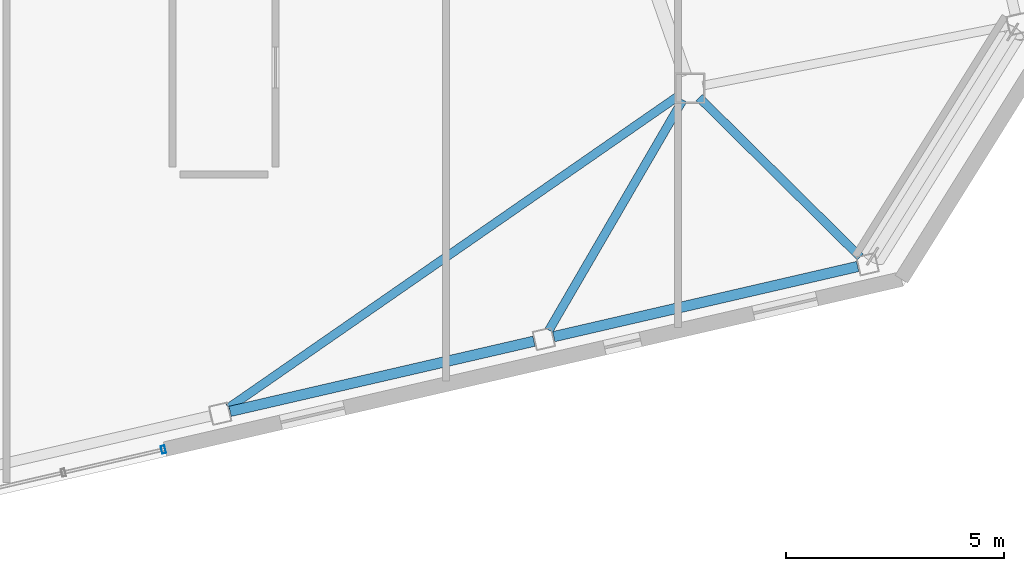
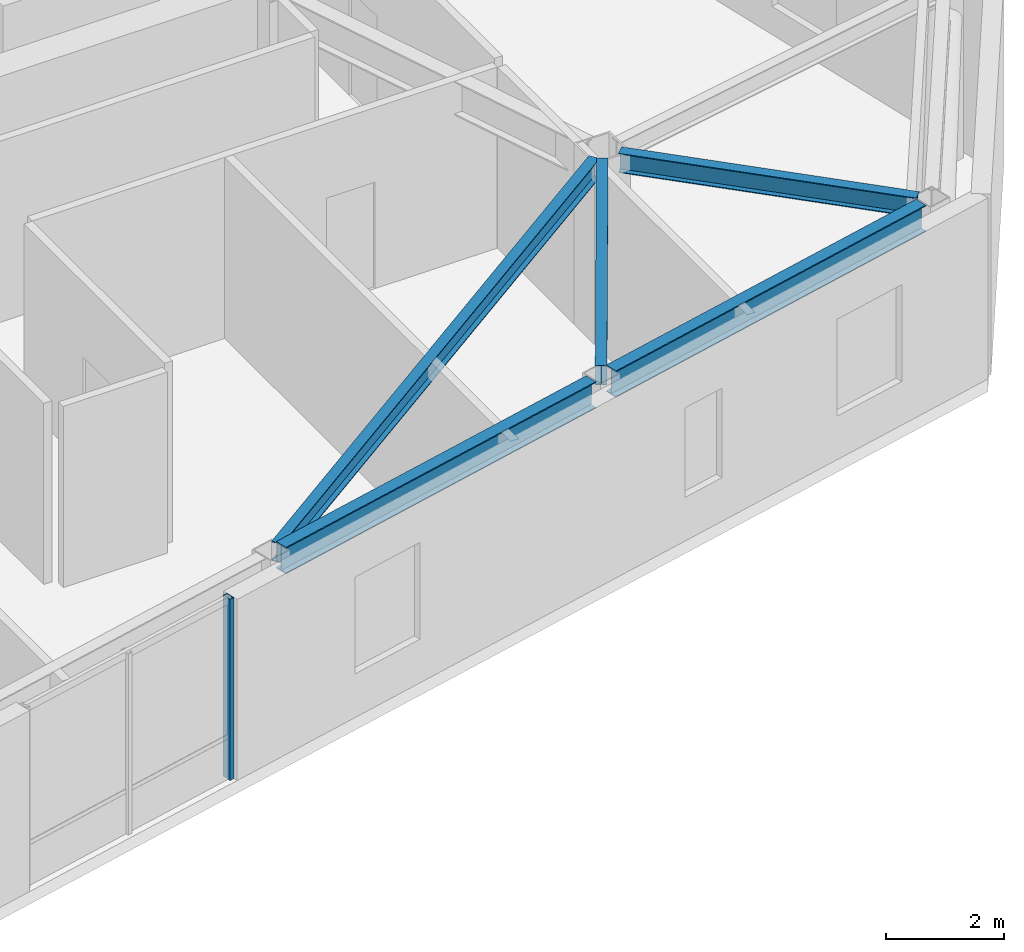
# One storey, part 11 of 22: 5 beams, 1 member, 1 element without a shape of its own.
"""IFC4 building model written with IfcOpenShell, lengths in metres."""

from ifc_helpers import new_model, si_unit, direction, frame, origin, origin_2d, place, context, subcontext, project, spatial, hollow_rectangle, i_section, extrude, material, layer, layer_set, material_profile, profile_set, type_object, element, aggregate, save


model = new_model("IFC4")

# Units and contexts
model_context = context("Model", 3, precision=1e-05, world=origin(), true_north=direction((0.0, 1.0)))
body_context = subcontext(model_context, "Body", "Model", "MODEL_VIEW")
ifc_project = project(units=[si_unit("LENGTHUNIT", "METRE"), si_unit("AREAUNIT", "SQUARE_METRE"), si_unit("VOLUMEUNIT", "CUBIC_METRE"), si_unit("PLANEANGLEUNIT", "RADIAN"), si_unit("MASSUNIT", "GRAM", prefix="KILO")], contexts=[model_context])

# Site, building, storey
site_placement = place(None, origin())
site = spatial("IfcSite", under=ifc_project, at=site_placement, CompositionType="ELEMENT")
building_placement = place(site_placement, origin())
building = spatial("IfcBuilding", under=site, at=building_placement, Name="Tavrogorsk Clinical Tower", CompositionType="ELEMENT")
storey_placement = place(building_placement, frame((0.0, 0.0, 317.0)))
storey = spatial("IfcBuildingStorey", under=building, at=storey_placement, Name="L74", CompositionType="ELEMENT", Elevation=317.0)

# Curtain wall, member
ifc_material_1 = material(Name="Anodised aluminium and triple IGU glazing", Category="aluminium")
ifc_layer = layer(ifc_material_1, 0.179931640625)
ifc_layer_set = layer_set([ifc_layer], Name="Anodised aluminium and triple IGU glazing")
curtain_wall_type = type_object("IfcCurtainWallType", Name="CW3_SouthSlot", PredefinedType="NOTDEFINED", material=ifc_layer_set)
curtain_wall_placement = place(storey_placement, origin())
curtain_wall = element("IfcCurtainWall", 1, at=curtain_wall_placement, inside=storey, type_object=curtain_wall_type, Name="L74 Curtain Wall CW-L74-S-SLOT-2", PredefinedType="NOTDEFINED")
ifc_material_2 = material(Name="Anodised aluminium alloy AW-6060", Category="aluminium")
ifc_material_profile_1 = material_profile(ifc_material_2, hollow_rectangle(XDim=0.090087890625, YDim=0.179931640625, WallThickness=0.00634765625, at=origin_2d()), Name="RHS-180x90x6.3")
ifc_profile_set_1 = profile_set([ifc_material_profile_1], Name="Anodised aluminium alloy AW-6060")
member_type = type_object("IfcMemberType", Name="CwMullion_180x90", PredefinedType="MULLION", material=ifc_profile_set_1)
member_placement = place(storey_placement, frame((12.4052734375, -21.504638671875, 0.0), z_axis=(0.0, 0.0, 1.0), x_axis=(0.974370057377, 0.224951086434, 0.0)))
member = element("IfcMember", 2, at=member_placement, type_object=member_type, Name="CW-L74-S-SLOT-2 Mullion 3", PredefinedType="MULLION", context=body_context, shape_type="SweptSolid", body=[
    extrude(hollow_rectangle(XDim=0.090087890625, YDim=0.179931640625, WallThickness=0.00634765625, at=origin_2d()), origin(), (0.0, 0.0, 1.0), 3.739990234375),
])
aggregate(curtain_wall, [member])

# Beams
ifc_material_3 = material(Name="Structural steel S355", Category="steel")
ifc_material_profile_2 = material_profile(ifc_material_3, i_section(OverallWidth=0.199951171875, OverallDepth=0.39990234375, WebThickness=0.010498046875, FlangeThickness=0.01611328125, at=origin_2d()), Name="B-400x200x10.5x16")
ifc_profile_set_2 = profile_set([ifc_material_profile_2], Name="Structural steel S355")
beam_type_1 = type_object("IfcBeamType", Name="FloorBeam_B400", PredefinedType="BEAM", material=ifc_profile_set_2)
beam_1_placement = place(storey_placement, frame((24.245361328125, -13.376708984375, 3.5400390625), z_axis=(-0.821821874963, -0.56974450926, 0.0), x_axis=(0.56974450926, -0.821821874963, 0.0)))
element("IfcBeam", 3, at=beam_1_placement, inside=storey, type_object=beam_type_1, Name="L74 Radial Floor Beam S6", PredefinedType="BEAM", context=body_context, shape_type="SweptSolid", body=[
    extrude(i_section(OverallWidth=0.199951171875, OverallDepth=0.39990234375, WebThickness=0.010498046875, FlangeThickness=0.01611328125, at=origin_2d()), origin(), (0.0, 0.0, 1.0), 12.5849609375),
])
beam_2_placement = place(storey_placement, frame((24.34423828125, -13.468017578125, 3.5400390625), z_axis=(-0.50260105099, -0.864518469174, 0.0), x_axis=(0.864518469174, -0.50260105099, 0.0)))
element("IfcBeam", 4, at=beam_2_placement, inside=storey, type_object=beam_type_1, Name="L74 Radial Floor Beam S7", PredefinedType="BEAM", context=body_context, shape_type="SweptSolid", body=[
    extrude(i_section(OverallWidth=0.199951171875, OverallDepth=0.39990234375, WebThickness=0.010498046875, FlangeThickness=0.01611328125, at=origin_2d()), origin(), (0.0, 0.0, 1.0), 6.12255859375),
])
beam_3_placement = place(storey_placement, frame((24.720458984375, -13.41796875, 3.5400390625), z_axis=(0.710870207436, -0.703323217433, 0.0), x_axis=(0.703323217433, 0.710870207436, 0.0)))
element("IfcBeam", 5, at=beam_3_placement, inside=storey, type_object=beam_type_1, Name="L74 Radial Floor Beam S8", PredefinedType="BEAM", context=body_context, shape_type="SweptSolid", body=[
    extrude(i_section(OverallWidth=0.199951171875, OverallDepth=0.39990234375, WebThickness=0.010498046875, FlangeThickness=0.01611328125, at=origin_2d()), origin(), (0.0, 0.0, 1.0), 5.208251953125),
])
ifc_material_4 = material(Name="Structural steel S390", Category="steel")
ifc_material_profile_3 = material_profile(ifc_material_4, i_section(OverallWidth=0.239990234375, OverallDepth=0.550048828125, WebThickness=0.013916015625, FlangeThickness=0.02197265625, at=origin_2d()), Name="B-550x240x14x22")
ifc_profile_set_3 = profile_set([ifc_material_profile_3], Name="Structural steel S390")
beam_type_2 = type_object("IfcBeamType", Name="SpandrelBeam_B550", PredefinedType="SPANDREL", material=ifc_profile_set_3)
for number, where, z_axis, x_axis, name in (
    (6, (13.938232421875, -20.627197265625, 3.465087890625), (0.974369378592, 0.224954026551, 0.0), (-0.224954026551, 0.974369378592, 0.0), "L74 Perimeter Spandrel S6-S7"),
    (7, (21.376953125, -18.909912109375, 3.465087890625), (0.974369378592, 0.224954026551, 0.0), (-0.224954026551, 0.974369378592, 0.0), "L74 Perimeter Spandrel S7-S8"),
):
    element("IfcBeam", number, at=place(storey_placement, frame(where, z_axis=z_axis, x_axis=x_axis)), inside=storey, type_object=beam_type_2, Name=name, PredefinedType="SPANDREL", context=body_context, shape_type="SweptSolid", body=[
        extrude(i_section(OverallWidth=0.239990234375, OverallDepth=0.550048828125, WebThickness=0.013916015625, FlangeThickness=0.02197265625, at=origin_2d()), origin(), (0.0, 0.0, 1.0), 7.16845703125),
    ])

save(model, "model.ifc")
